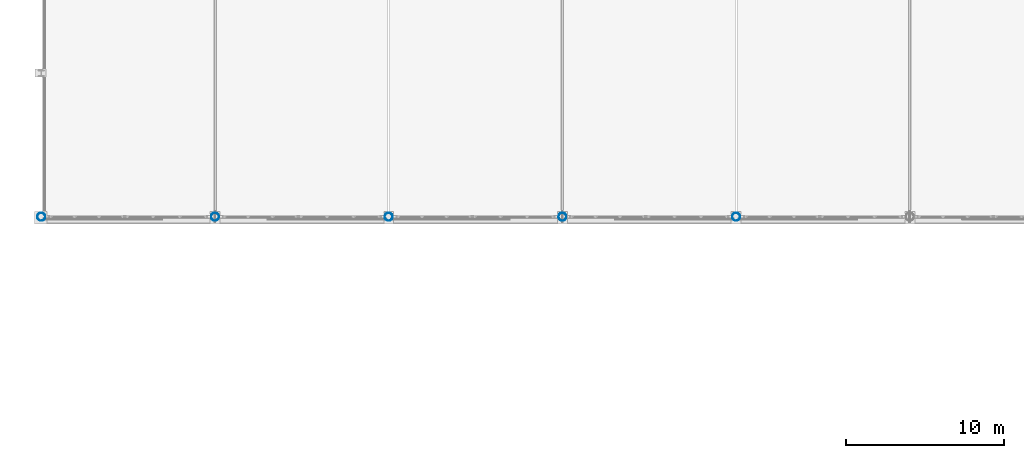
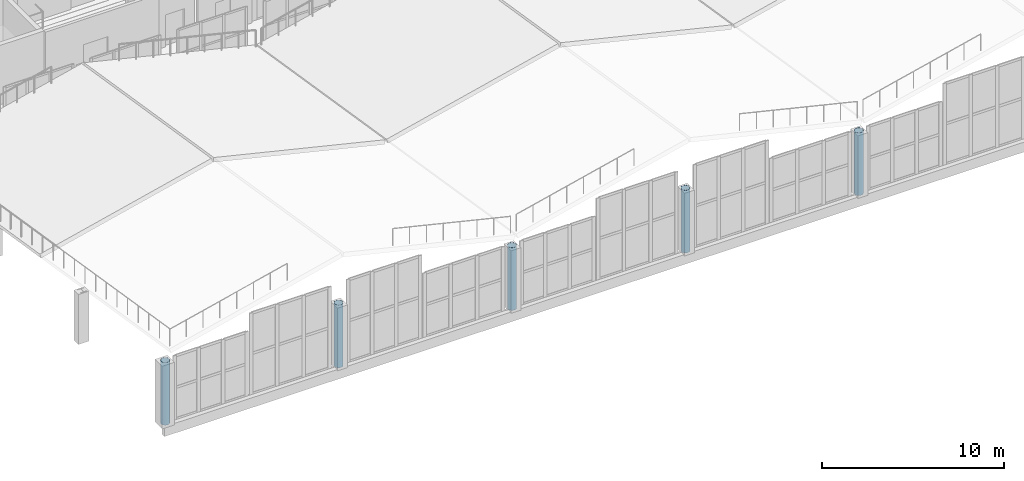
# One storey, part 1 of 120: 5 columns.
"""IFC4 building model written with IfcOpenShell, lengths in metres."""

from ifc_helpers import new_model, si_unit, direction, frame, origin, origin_2d, place, context, subcontext, project, spatial, hollow_circle, extrude, material, material_profile, profile_set, type_object, element, save


model = new_model("IFC4")

# Units and contexts
model_context = context("Model", 3, precision=1e-05, world=origin(), true_north=direction((0.0, 1.0)))
body_context = subcontext(model_context, "Body", "Model", "MODEL_VIEW")
ifc_project = project(units=[si_unit("LENGTHUNIT", "METRE"), si_unit("AREAUNIT", "SQUARE_METRE"), si_unit("VOLUMEUNIT", "CUBIC_METRE"), si_unit("PLANEANGLEUNIT", "RADIAN"), si_unit("MASSUNIT", "GRAM", prefix="KILO")], contexts=[model_context])

# Site, building, storey
site_placement = place(None, origin())
site = spatial("IfcSite", under=ifc_project, at=site_placement, CompositionType="ELEMENT")
building_placement = place(site_placement, origin())
building = spatial("IfcBuilding", under=site, at=building_placement, Name="Caurita Quay Ferry Terminal", CompositionType="ELEMENT")
storey_placement = place(building_placement, frame((0.0, 0.0, 9.89990234375)))
storey = spatial("IfcBuildingStorey", under=building, at=storey_placement, Name="L02", CompositionType="ELEMENT", Elevation=9.89990234375)

# Columns
ifc_material = material(Name="Hollow structural steel ASTM A500 Gr. C", Category="steel")
ifc_material_profile = material_profile(ifc_material, hollow_circle(Radius=0.25390625, WallThickness=0.01171875, at=origin_2d()), Name="HSS20.000X0.500")
ifc_profile_set = profile_set([ifc_material_profile], Name="Hollow structural steel ASTM A500 Gr. C")
column_type = type_object("IfcColumnType", Name="COL-MST-01", PredefinedType="COLUMN", material=ifc_profile_set)
for number, where, z_axis, x_axis, name in (
    (1, (0.0, 34.60009765625, 0.0), (0.0, 0.0, 1.0), (1.0, 0.0, 0.0), "L02 Column V1-MST-01-S"),
    (2, (11.0, 34.60009765625, 0.0), (0.0, 0.0, 1.0), (1.0, 0.0, 0.0), "L02 Column V1-MST-02-S"),
    (3, (22.0, 34.60009765625, 0.0), (0.0, 0.0, 1.0), (1.0, 0.0, 0.0), "L02 Column V1-MST-03-S"),
    (4, (33.0, 34.60009765625, 0.0), (0.0, 0.0, 1.0), (1.0, 0.0, 0.0), "L02 Column V1-MST-04-S"),
    (5, (44.0, 34.60009765625, 0.0), (0.0, 0.0, 1.0), (1.0, 0.0, 0.0), "L02 Column V1-MST-05-S"),
):
    element("IfcColumn", number, at=place(storey_placement, frame(where, z_axis=z_axis, x_axis=x_axis)), inside=storey, type_object=column_type, Name=name, PredefinedType="COLUMN", context=body_context, shape_type="SweptSolid", body=[
        extrude(hollow_circle(Radius=0.25390625, WallThickness=0.01171875, at=origin_2d()), origin(), (0.0, 0.0, 1.0), 4.2001953125),
    ])

save(model, "model.ifc")
